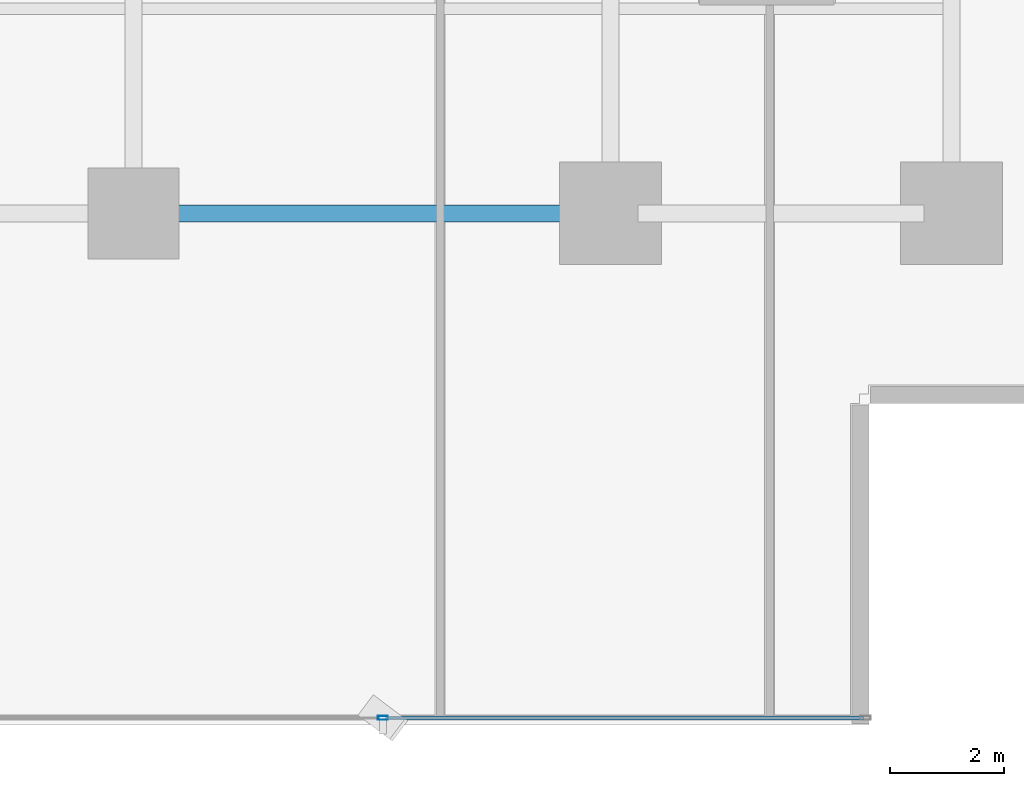
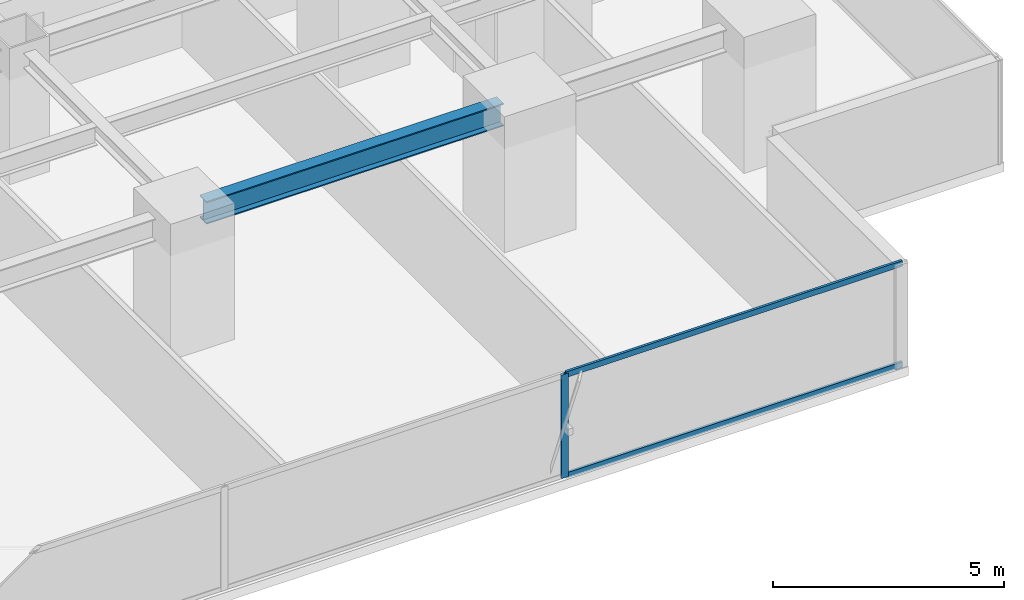
# One storey, part 11 of 34: 3 members, 1 beam, 1 element without a shape of its own.
"""IFC4 building model written with IfcOpenShell, lengths in metres."""

from ifc_helpers import new_model, si_unit, direction, frame, origin, origin_2d, place, context, subcontext, project, spatial, hollow_rectangle, i_section, extrude, source, transform, mapped, material, layer, layer_set, material_profile, profile_set, type_object, element, aggregate, save


model = new_model("IFC4")

# Units and contexts
model_context = context("Model", 3, precision=1e-05, world=origin(), true_north=direction((0.0, 1.0)))
body_context = subcontext(model_context, "Body", "Model", "MODEL_VIEW")
ifc_project = project(units=[si_unit("LENGTHUNIT", "METRE"), si_unit("AREAUNIT", "SQUARE_METRE"), si_unit("VOLUMEUNIT", "CUBIC_METRE"), si_unit("PLANEANGLEUNIT", "RADIAN"), si_unit("MASSUNIT", "GRAM", prefix="KILO")], contexts=[model_context])

# Site, building, storey
site_placement = place(None, origin())
site = spatial("IfcSite", under=ifc_project, at=site_placement, CompositionType="ELEMENT")
building_placement = place(site_placement, origin())
building = spatial("IfcBuilding", under=site, at=building_placement, Name="Sumidabori Civic Tower", CompositionType="ELEMENT")
storey_placement = place(building_placement, frame((0.0, 0.0, 41.60009765625)))
storey = spatial("IfcBuildingStorey", under=building, at=storey_placement, Name="L10", CompositionType="ELEMENT", Elevation=41.60009765625)

# Beam
ifc_material_1 = material(Name="Steel SN490", Category="steel")
ifc_material_profile_1 = material_profile(ifc_material_1, i_section(OverallWidth=0.300048828125, OverallDepth=0.60009765625, WebThickness=0.015380859375, FlangeThickness=0.030029296875, at=origin_2d()), Name="HE 600 B")
ifc_profile_set_1 = profile_set([ifc_material_profile_1], Name="Steel SN490")
beam_type = type_object("IfcBeamType", Name="BM-GIRD-600", PredefinedType="BEAM", material=ifc_profile_set_1)
shared_shape_1 = source(origin(), body_context, "Body", "SweptSolid", [
    extrude(i_section(OverallWidth=0.300048828125, OverallDepth=0.60009765625, WebThickness=0.015380859375, FlangeThickness=0.030029296875, at=origin_2d()), origin(), (0.0, 0.0, 1.0), 7.440185546875),
])
beam_placement = place(storey_placement, frame((8.8798828125, -18.0, 3.059814453125), z_axis=(1.0, 0.0, 0.0), x_axis=(0.0, 1.0, 0.0)))
element("IfcBeam", 1, at=beam_placement, inside=storey, type_object=beam_type, Name="Primary Girder L10 GX-05", PredefinedType="BEAM", context=body_context, shape_type="MappedRepresentation", body=[
    mapped(shared_shape_1, transform((0.0, 0.0, 0.0), x_axis=(1.0, 0.0, 0.0), y_axis=(0.0, 1.0, 0.0), z_axis=(0.0, 0.0, 1.0), scale=1.0)),
])

# Curtain wall, members
ifc_material_2 = material(Name="Anodised Bronze Aluminium AW-6063-T6", Category="aluminium")
ifc_layer = layer(ifc_material_2, 0.179931640625, Name="Anodised Bronze Aluminium AW-6063-T6")
ifc_layer_set = layer_set([ifc_layer], Name="Anodised Bronze Aluminium AW-6063-T6")
curtain_wall_type = type_object("IfcCurtainWallType", Name="CW-SYS-2", PredefinedType="NOTDEFINED", material=ifc_layer_set)
curtain_wall_placement = place(storey_placement, origin())
curtain_wall = element("IfcCurtainWall", 2, at=curtain_wall_placement, inside=storey, type_object=curtain_wall_type, Name="Curtain Wall CW:L10:R01", PredefinedType="NOTDEFINED")
ifc_material_profile_2 = material_profile(ifc_material_2, hollow_rectangle(XDim=0.070068359375, YDim=0.179931640625, WallThickness=0.006103515625, at=origin_2d()), Name="ALU MULLION 180x70")
ifc_profile_set_2 = profile_set([ifc_material_profile_2], Name="Anodised Bronze Aluminium AW-6063-T6")
member_type_1 = type_object("IfcMemberType", Name="CW-MUL-180", PredefinedType="MULLION", material=ifc_profile_set_2)
shared_shape_2 = source(origin(), body_context, "Body", "SweptSolid", [
    extrude(hollow_rectangle(XDim=0.070068359375, YDim=0.179931640625, WallThickness=0.006103515625, at=origin_2d()), origin(), (0.0, 0.0, 1.0), 2.739990234375),
])
member_1_placement = place(storey_placement, frame((12.7919921875, -26.8798828125, 0.0), z_axis=(0.0, 0.0, 1.0), x_axis=(0.0, 1.0, 0.0)))
member_1 = element("IfcMember", 3, at=member_1_placement, type_object=member_type_1, Name="CW-2 mullion 5", PredefinedType="MULLION", context=body_context, shape_type="MappedRepresentation", body=[
    mapped(shared_shape_2, transform((0.0, 0.0, 0.0), x_axis=(1.0, 0.0, 0.0), y_axis=(0.0, 1.0, 0.0), z_axis=(0.0, 0.0, 1.0), scale=1.0)),
])
ifc_material_profile_3 = material_profile(ifc_material_2, hollow_rectangle(XDim=0.06494140625, YDim=0.14990234375, WallThickness=0.0048828125, at=origin_2d()), Name="ALU TRANSOM 150x65")
ifc_profile_set_3 = profile_set([ifc_material_profile_3], Name="Anodised Bronze Aluminium AW-6063-T6")
member_type_2 = type_object("IfcMemberType", Name="CW-TRN-150", PredefinedType="USERDEFINED", material=ifc_profile_set_3)
shared_shape_3 = source(origin(), body_context, "Body", "SweptSolid", [
    extrude(hollow_rectangle(XDim=0.06494140625, YDim=0.14990234375, WallThickness=0.0048828125, at=origin_2d()), origin(), (0.0, 0.0, 1.0), 8.423095703125),
])
member_2_placement = place(storey_placement, frame((12.826904296875, -26.8798828125, 0.032470703125), z_axis=(1.0, 0.0, 0.0), x_axis=(0.0, 1.0, 0.0)))
member_2 = element("IfcMember", 4, at=member_2_placement, type_object=member_type_2, Name="CW-2 transom 5.1", ObjectType="TRANSOM", PredefinedType="USERDEFINED", context=body_context, shape_type="MappedRepresentation", body=[
    mapped(shared_shape_3, transform((0.0, 0.0, 0.0), x_axis=(1.0, 0.0, 0.0), y_axis=(0.0, 1.0, 0.0), z_axis=(0.0, 0.0, 1.0), scale=1.0)),
])
member_3_placement = place(storey_placement, frame((12.826904296875, -26.8798828125, 2.70751953125), z_axis=(1.0, 0.0, 0.0), x_axis=(0.0, 1.0, 0.0)))
member_3 = element("IfcMember", 5, at=member_3_placement, type_object=member_type_2, Name="CW-2 transom 5.2", ObjectType="TRANSOM", PredefinedType="USERDEFINED", context=body_context, shape_type="MappedRepresentation", body=[
    mapped(shared_shape_3, transform((0.0, 0.0, 0.0), x_axis=(1.0, 0.0, 0.0), y_axis=(0.0, 1.0, 0.0), z_axis=(0.0, 0.0, 1.0), scale=1.0)),
])
aggregate(curtain_wall, [member_1, member_2, member_3])

save(model, "model.ifc")
